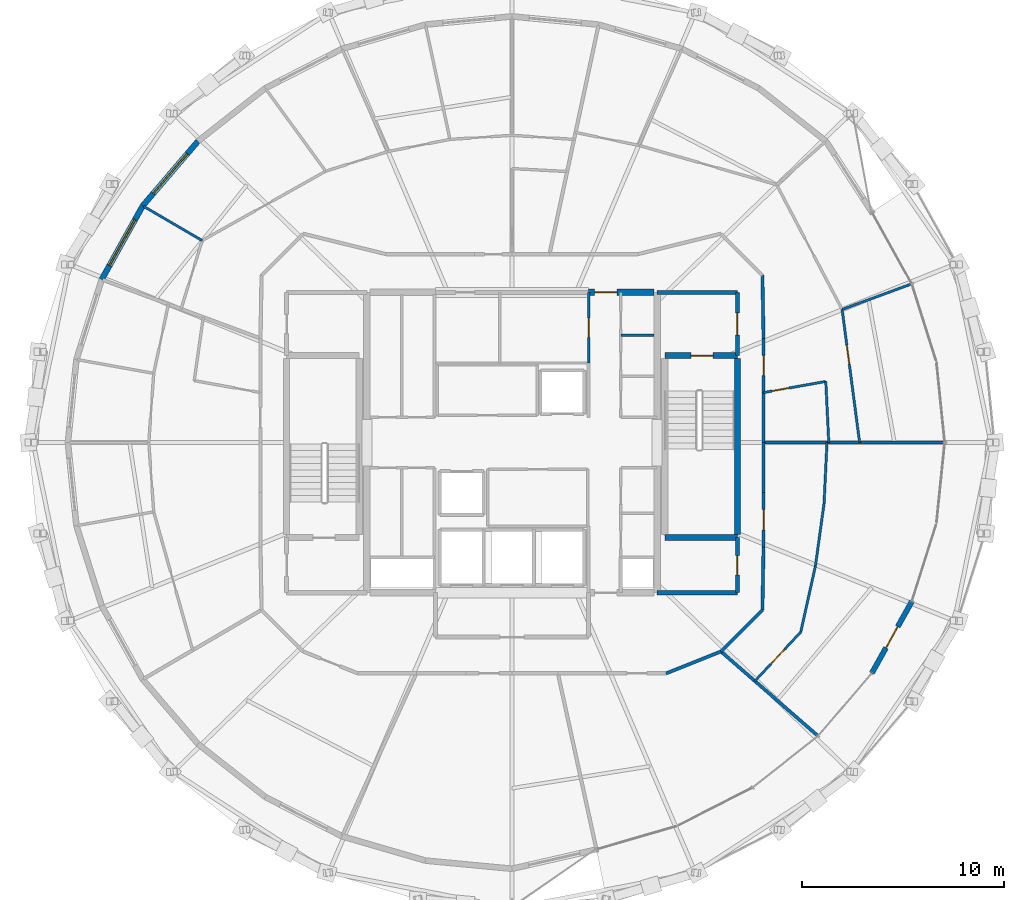
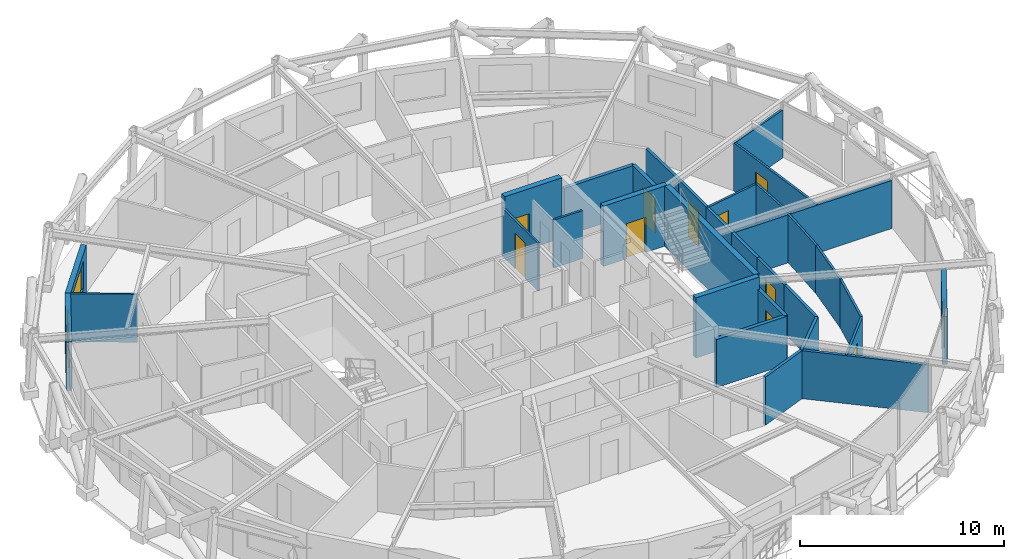
# One storey, part 14 of 17: 32 walls, 11 doors, 2 windows, 13 openings.
"""IFC4 building model written with IfcOpenShell, lengths in metres."""

from ifc_helpers import new_model, si_unit, direction, frame, frame_2d, origin, place, context, subcontext, project, spatial, rectangle, extrude, material, layer, layer_set, type_object, element, fill, save


model = new_model("IFC4")

# Units and contexts
model_context = context("Model", 3, precision=1e-05, world=origin(), true_north=direction((0.0, 1.0)))
body_context = subcontext(model_context, "Body", "Model", "MODEL_VIEW")
ifc_project = project(units=[si_unit("LENGTHUNIT", "METRE"), si_unit("AREAUNIT", "SQUARE_METRE"), si_unit("VOLUMEUNIT", "CUBIC_METRE"), si_unit("PLANEANGLEUNIT", "RADIAN"), si_unit("MASSUNIT", "GRAM", prefix="KILO")], contexts=[model_context])

# Site, building, storey
site_placement = place(None, origin())
site = spatial("IfcSite", under=ifc_project, at=site_placement, CompositionType="ELEMENT")
building_placement = place(site_placement, origin())
building = spatial("IfcBuilding", under=site, at=building_placement, Name="Veldorina Hangang Commons", CompositionType="ELEMENT")
storey_placement = place(building_placement, frame((0.0, 0.0, 236.39990234375)))
storey = spatial("IfcBuildingStorey", under=building, at=storey_placement, Name="L61", CompositionType="ELEMENT", Elevation=236.39990234375)

# Wall, opening, door
ifc_material_1 = material(Name="Concrete C50/60", Category="concrete")
ifc_layer_1 = layer(ifc_material_1, 0.320068359375)
ifc_layer_set_1 = layer_set([ifc_layer_1], Name="Concrete C50/60")
wall_type_1 = type_object("IfcWallType", Name="CW-RC320-C50", PredefinedType="SHEAR", material=ifc_layer_set_1)
wall_1_placement = place(storey_placement, frame((35.800048828125, 31.449951171875, 0.0), z_axis=(0.0, 0.0, 1.0), x_axis=(1.0, 0.0, 0.0)))
wall_1 = element("IfcWall", 1, at=wall_1_placement, inside=storey, type_object=wall_type_1, Name="L61 north-east core shear wall", PredefinedType="SHEAR", context=body_context, shape_type="SweptSolid", body=[
    extrude(rectangle(XDim=3.239990234375, YDim=0.320068359375, at=frame_2d((1.6201171875, 0.0))), origin(), (0.0, 0.0, 1.0), 3.60009765625),
])
opening_1_placement = place(wall_1_placement, frame((0.300048828125, 0.0, 0.0)))
opening_1 = element("IfcOpeningElement", 2, at=opening_1_placement, cuts=wall_1, Name="Opening D-08", PredefinedType="OPENING", context=body_context, shape_type="SweptSolid", body=[
    extrude(rectangle(XDim=1.10009765625, YDim=2.10009765625, at=frame_2d((0.550048828125, 1.050048828125))), frame((0.0, 0.169921875, 0.0), z_axis=(0.0, -1.0, 0.0), x_axis=(1.0, 0.0, 0.0)), (0.0, 0.0, 1.0), 0.340087890625),
])
ifc_material_2 = material(Name="Steel Fire-Rated Smoke Seal", Category="steel")
door_type_1 = type_object("IfcDoorType", Name="DR-FIRE-1100", OperationType="SINGLE_SWING_RIGHT", PredefinedType="DOOR", material=ifc_material_2)
door_1_placement = place(opening_1_placement, origin())
door_1 = element("IfcDoor", 3, at=door_1_placement, inside=storey, type_object=door_type_1, Name="L61 central lift lobby north corridor door", OperationType="SINGLE_SWING_LEFT", OverallHeight=2.10009765625, OverallWidth=1.10009765625, PredefinedType="DOOR", context=body_context, shape_type="SweptSolid", body=[
    extrude(rectangle(XDim=1.10009765625, YDim=2.10009765625, at=frame_2d((0.550048828125, 1.050048828125))), frame((0.0, 0.02490234375, 0.0), z_axis=(0.0, -1.0, 0.0), x_axis=(1.0, 0.0, 0.0)), (0.0, 0.0, 1.0), 0.050048828125),
])
fill(opening_1, door_1)

ifc_material_3 = material(Name="Stone Roman Travertine", Category="masonry")
ifc_layer_2 = layer(ifc_material_3, 0.260009765625)
ifc_layer_set_2 = layer_set([ifc_layer_2], Name="Stone Roman Travertine")
wall_type_2 = type_object("IfcWallType", Name="EW-LOGGIA-260", PredefinedType="STANDARD", material=ifc_layer_set_2)
wall_2_placement = place(storey_placement, frame((49.85693359375, 12.56298828125, 0.0), z_axis=(0.0, 0.0, 1.0), x_axis=(0.487020857791, 0.873390338896, 0.0)))
wall_2 = element("IfcWall", 4, at=wall_2_placement, inside=storey, type_object=wall_type_2, Name="L61 sky-garden loggia portal wall 29", PredefinedType="STANDARD", context=body_context, shape_type="SweptSolid", body=[
    extrude(rectangle(XDim=4.074951171875, YDim=0.260009765625, at=frame_2d((2.03759765625, 0.0))), origin(), (0.0, 0.0, 1.0), 2.880126953125),
])
opening_2_placement = place(wall_2_placement, frame((1.4375, 0.0, 0.0)))
opening_2 = element("IfcOpeningElement", 5, at=opening_2_placement, cuts=wall_2, Name="Opening BD-1200", PredefinedType="OPENING", context=body_context, shape_type="SweptSolid", body=[
    extrude(rectangle(XDim=1.199951171875, YDim=2.14990234375, at=frame_2d((0.60009765625, 1.074951171875))), frame((0.0, 0.14013671875, 0.0), z_axis=(0.0, -1.0, 0.0), x_axis=(1.0, 0.0, 0.0)), (0.0, 0.0, 1.0), 0.280029296875),
])
ifc_material_4 = material(Name="Glass Thermal Aluminium Frame", Category="aluminium")
door_type_2 = type_object("IfcDoorType", Name="DR-EXT-LOG1200", OperationType="SINGLE_SWING_LEFT", PredefinedType="DOOR", material=ifc_material_4)
door_2_placement = place(opening_2_placement, origin())
door_2 = element("IfcDoor", 6, at=door_2_placement, inside=storey, type_object=door_type_2, Name="L61 loggia glazed exterior door 29", OperationType="SINGLE_SWING_RIGHT", OverallHeight=2.14990234375, OverallWidth=1.199951171875, PredefinedType="DOOR", context=body_context, shape_type="SweptSolid", body=[
    extrude(rectangle(XDim=1.199951171875, YDim=2.14990234375, at=frame_2d((0.60009765625, 1.074951171875))), frame((0.0, 0.02490234375, 0.0), z_axis=(0.0, -1.0, 0.0), x_axis=(1.0, 0.0, 0.0)), (0.0, 0.0, 1.0), 0.050048828125),
])
fill(opening_2, door_2)

# Wall, opening, window
ifc_layer_3 = layer(ifc_material_3, 0.280029296875)
ifc_layer_set_3 = layer_set([ifc_layer_3], Name="Stone Roman Travertine")
wall_type_3 = type_object("IfcWallType", Name="EW-TRAV-280", PredefinedType="STANDARD", material=ifc_layer_set_3)
wall_3_placement = place(storey_placement, frame((16.41796875, 38.95263671875, 0.0), z_axis=(0.0, 0.0, 1.0), x_axis=(-0.64992790189, -0.759995869952, 0.0)))
wall_3 = element("IfcWall", 7, at=wall_3_placement, inside=storey, type_object=wall_type_3, Name="L61 travertine facade wall 12", PredefinedType="STANDARD", context=body_context, shape_type="SweptSolid", body=[
    extrude(rectangle(XDim=4.216552734375, YDim=0.280029296875, at=frame_2d((2.1083984375, 0.0))), origin(), (0.0, 0.0, 1.0), 2.880126953125),
])
opening_3_placement = place(wall_3_placement, frame((0.808349609375, 0.0, 0.800048828125)))
opening_3 = element("IfcOpeningElement", 8, at=opening_3_placement, cuts=wall_3, Name="Opening W-02", PredefinedType="OPENING", context=body_context, shape_type="SweptSolid", body=[
    extrude(rectangle(XDim=2.60009765625, YDim=1.64990234375, at=frame_2d((1.300048828125, 0.824951171875))), frame((0.0, 0.14990234375, 0.0), z_axis=(0.0, -1.0, 0.0), x_axis=(1.0, 0.0, 0.0)), (0.0, 0.0, 1.0), 0.300048828125),
])
ifc_material_5 = material(Name="Glass Low-E Triple IGU", Category="glass")
window_type = type_object("IfcWindowType", Name="WIN-TWR-2600", PartitioningType="SINGLE_PANEL", PredefinedType="WINDOW", material=ifc_material_5)
window_1_placement = place(opening_3_placement, origin())
window_1 = element("IfcWindow", 9, at=window_1_placement, inside=storey, type_object=window_type, Name="L61 facade window 12", OverallHeight=1.64990234375, OverallWidth=2.60009765625, PartitioningType="SINGLE_PANEL", PredefinedType="WINDOW", context=body_context, shape_type="SweptSolid", body=[
    extrude(rectangle(XDim=2.60009765625, YDim=1.64990234375, at=frame_2d((1.300048828125, 0.824951171875))), frame((0.0, 0.030029296875, 0.0), z_axis=(0.0, -1.0, 0.0), x_axis=(1.0, 0.0, 0.0)), (0.0, 0.0, 1.0), 0.06005859375),
])
fill(opening_3, window_1)

wall_4_placement = place(storey_placement, frame((13.677490234375, 35.748046875, 0.0), z_axis=(0.0, 0.0, 1.0), x_axis=(-0.486628377496, -0.873609078602, 0.0)))
wall_4 = element("IfcWall", 10, at=wall_4_placement, inside=storey, type_object=wall_type_3, Name="L61 travertine facade wall 13", PredefinedType="STANDARD", context=body_context, shape_type="SweptSolid", body=[
    extrude(rectangle(XDim=4.1845703125, YDim=0.280029296875, at=frame_2d((2.09228515625, 0.0))), origin(), (0.0, 0.0, 1.0), 2.880126953125),
])
opening_4_placement = place(wall_4_placement, frame((0.79248046875, 0.0, 0.800048828125)))
opening_4 = element("IfcOpeningElement", 11, at=opening_4_placement, cuts=wall_4, Name="Opening W-02", PredefinedType="OPENING", context=body_context, shape_type="SweptSolid", body=[
    extrude(rectangle(XDim=2.60009765625, YDim=1.64990234375, at=frame_2d((1.300048828125, 0.824951171875))), frame((0.0, 0.14990234375, 0.0), z_axis=(0.0, -1.0, 0.0), x_axis=(1.0, 0.0, 0.0)), (0.0, 0.0, 1.0), 0.300048828125),
])
window_2_placement = place(opening_4_placement, origin())
window_2 = element("IfcWindow", 12, at=window_2_placement, inside=storey, type_object=window_type, Name="L61 facade window 13", OverallHeight=1.64990234375, OverallWidth=2.60009765625, PartitioningType="SINGLE_PANEL", PredefinedType="WINDOW", context=body_context, shape_type="SweptSolid", body=[
    extrude(rectangle(XDim=2.60009765625, YDim=1.64990234375, at=frame_2d((1.300048828125, 0.824951171875))), frame((0.0, 0.030029296875, 0.0), z_axis=(0.0, -1.0, 0.0), x_axis=(1.0, 0.0, 0.0)), (0.0, 0.0, 1.0), 0.06005859375),
])
fill(opening_4, window_2)

# Walls
ifc_layer_4 = layer(ifc_material_1, 0.300048828125)
ifc_layer_set_4 = layer_set([ifc_layer_4], Name="Concrete C50/60")
wall_type_4 = type_object("IfcWallType", Name="SW-STAIR-300", PredefinedType="SHEAR", material=ifc_layer_set_4)
wall_5_placement = place(storey_placement, frame((43.179931640625, 19.429931640625, 0.0), z_axis=(0.0, 0.0, 1.0), x_axis=(0.0, 1.0, 0.0)))
element("IfcWall", 13, at=wall_5_placement, inside=storey, type_object=wall_type_4, Name="L61 ST2 outer stair shear wall", PredefinedType="SHEAR", context=body_context, shape_type="SweptSolid", body=[
    extrude(rectangle(XDim=8.739990234375, YDim=0.300048828125, at=frame_2d((4.3701171875, 0.0))), origin(), (0.0, 0.0, 1.0), 3.60009765625),
])
wall_6_placement = place(storey_placement, frame((39.580078125, 19.280029296875, 0.0), z_axis=(0.0, 0.0, 1.0), x_axis=(1.0, 0.0, 0.0)))
element("IfcWall", 14, at=wall_6_placement, inside=storey, type_object=wall_type_4, Name="L61 ST2 south stair shear wall", PredefinedType="SHEAR", context=body_context, shape_type="SweptSolid", body=[
    extrude(rectangle(XDim=3.599853515625, YDim=0.300048828125, at=frame_2d((1.7998046875, 0.0))), origin(), (0.0, 0.0, 1.0), 3.60009765625),
])

# Wall, opening, door
wall_7_placement = place(storey_placement, frame((39.580078125, 28.320068359375, 0.0), z_axis=(0.0, 0.0, 1.0), x_axis=(1.0, 0.0, 0.0)))
wall_7 = element("IfcWall", 15, at=wall_7_placement, inside=storey, type_object=wall_type_4, Name="L61 ST2 north stair shear wall", PredefinedType="SHEAR", context=body_context, shape_type="SweptSolid", body=[
    extrude(rectangle(XDim=3.599853515625, YDim=0.300048828125, at=frame_2d((1.7998046875, 0.0))), origin(), (0.0, 0.0, 1.0), 3.60009765625),
])
opening_5_placement = place(wall_7_placement, frame((1.300048828125, 0.0, 0.0)))
opening_5 = element("IfcOpeningElement", 16, at=opening_5_placement, cuts=wall_7, Name="Opening D-08", PredefinedType="OPENING", context=body_context, shape_type="SweptSolid", body=[
    extrude(rectangle(XDim=1.10009765625, YDim=2.10009765625, at=frame_2d((0.550048828125, 1.050048828125))), frame((0.0, 0.16015625, 0.0), z_axis=(0.0, -1.0, 0.0), x_axis=(1.0, 0.0, 0.0)), (0.0, 0.0, 1.0), 0.320068359375),
])
door_3_placement = place(opening_5_placement, origin())
door_3 = element("IfcDoor", 17, at=door_3_placement, inside=storey, type_object=door_type_1, Name="L61 Special Escape Stair ST-2 door", OperationType="SINGLE_SWING_RIGHT", OverallHeight=2.10009765625, OverallWidth=1.10009765625, PredefinedType="DOOR", context=body_context, shape_type="SweptSolid", body=[
    extrude(rectangle(XDim=1.10009765625, YDim=2.10009765625, at=frame_2d((0.550048828125, 1.050048828125))), frame((0.0, 0.02490234375, 0.0), z_axis=(0.0, -1.0, 0.0), x_axis=(1.0, 0.0, 0.0)), (0.0, 0.0, 1.0), 0.050048828125),
])
fill(opening_5, door_3)

# Wall
ifc_material_6 = material(Name="Gypsum Fire-Rated Twin Stud Wall", Category="gypsum")
ifc_layer_5 = layer(ifc_material_6, 0.159912109375)
ifc_layer_set_5 = layer_set([ifc_layer_5], Name="Gypsum Fire-Rated Twin Stud Wall")
wall_type_5 = type_object("IfcWallType", Name="WL-FIRE-160", PredefinedType="SOLIDWALL", material=ifc_layer_set_5)
wall_8_placement = place(storey_placement, frame((44.47998046875, 24.0, 0.0), z_axis=(0.0, 0.0, 1.0), x_axis=(0.0, 1.0, 0.0)))
element("IfcWall", 18, at=wall_8_placement, inside=storey, type_object=wall_type_5, Name="L61 Compact collar outer wall 00 056", PredefinedType="SOLIDWALL", context=body_context, shape_type="SweptSolid", body=[
    extrude(rectangle(XDim=2.482421875, YDim=0.159912109375, at=frame_2d((1.2412109375, 0.0))), origin(), (0.0, 0.0, 1.0), 2.8701171875),
])

# Wall, opening, door
wall_9_placement = place(storey_placement, frame((44.47998046875, 26.482421875, 0.0), z_axis=(0.0, 0.0, 1.0), x_axis=(0.0, 1.0, 0.0)))
wall_9 = element("IfcWall", 19, at=wall_9_placement, inside=storey, type_object=wall_type_5, Name="L61 Compact collar outer wall 01 057", PredefinedType="SOLIDWALL", context=body_context, shape_type="SweptSolid", body=[
    extrude(rectangle(XDim=2.68701171875, YDim=0.159912109375, at=frame_2d((1.343505859375, 0.0))), origin(), (0.0, 0.0, 1.0), 2.8701171875),
])
opening_6_placement = place(wall_9_placement, frame((0.843505859375, 0.0, 0.0)))
opening_6 = element("IfcOpeningElement", 20, at=opening_6_placement, cuts=wall_9, Name="Opening D-06", PredefinedType="OPENING", context=body_context, shape_type="SweptSolid", body=[
    extrude(rectangle(XDim=1.0, YDim=2.10009765625, at=frame_2d((0.5, 1.050048828125))), frame((0.0, 0.08984375, 0.0), z_axis=(0.0, -1.0, 0.0), x_axis=(1.0, 0.0, 0.0)), (0.0, 0.0, 1.0), 0.179931640625),
])
ifc_material_7 = material(Name="Timber Fire-Rated Entrance Core", Category="wood")
door_type_3 = type_object("IfcDoorType", Name="DR-UNIT-1000", OperationType="SINGLE_SWING_LEFT", PredefinedType="DOOR", material=ifc_material_7)
door_4_placement = place(opening_6_placement, origin())
door_4 = element("IfcDoor", 21, at=door_4_placement, inside=storey, type_object=door_type_3, Name="L61 Cluster 2 entrance door 027", OperationType="SINGLE_SWING_LEFT", OverallHeight=2.10009765625, OverallWidth=1.0, PredefinedType="DOOR", context=body_context, shape_type="SweptSolid", body=[
    extrude(rectangle(XDim=1.0, YDim=2.10009765625, at=frame_2d((0.5, 1.050048828125))), frame((0.0, 0.02490234375, 0.0), z_axis=(0.0, -1.0, 0.0), x_axis=(1.0, 0.0, 0.0)), (0.0, 0.0, 1.0), 0.050048828125),
])
fill(opening_6, door_4)

# Walls
wall_10_placement = place(storey_placement, frame((44.47998046875, 29.16943359375, 0.0), z_axis=(0.0, 0.0, 1.0), x_axis=(-0.016981035134, 0.999855811828, 0.0)))
element("IfcWall", 22, at=wall_10_placement, inside=storey, type_object=wall_type_5, Name="L61 Compact collar outer wall 02 058", PredefinedType="SOLIDWALL", context=body_context, shape_type="SweptSolid", body=[
    extrude(rectangle(XDim=3.13427734375, YDim=0.159912109375, at=frame_2d((1.567138671875, 0.0))), origin(), (0.0, 0.0, 1.0), 2.8701171875),
])
wall_11_placement = place(storey_placement, frame((39.650634765625, 12.550048828125, 0.0), z_axis=(0.0, 0.0, 1.0), x_axis=(0.92856882165, 0.371160266542, 0.0)))
element("IfcWall", 23, at=wall_11_placement, inside=storey, type_object=wall_type_5, Name="L61 Compact collar outer wall 27 083", PredefinedType="SOLIDWALL", context=body_context, shape_type="SweptSolid", body=[
    extrude(rectangle(XDim=2.923095703125, YDim=0.159912109375, at=frame_2d((1.46142578125, 0.0))), origin(), (0.0, 0.0, 1.0), 2.8701171875),
])
wall_12_placement = place(storey_placement, frame((42.364990234375, 13.635009765625, 0.0), z_axis=(0.0, 0.0, 1.0), x_axis=(0.707106781187, 0.707106781187, 0.0)))
element("IfcWall", 24, at=wall_12_placement, inside=storey, type_object=wall_type_5, Name="L61 Compact collar outer wall 28 084", PredefinedType="SOLIDWALL", context=body_context, shape_type="SweptSolid", body=[
    extrude(rectangle(XDim=2.915771484375, YDim=0.159912109375, at=frame_2d((1.4580078125, 0.0))), origin(), (0.0, 0.0, 1.0), 2.8701171875),
])
wall_13_placement = place(storey_placement, frame((44.4267578125, 15.69677734375, 0.0), z_axis=(0.0, 0.0, 1.0), x_axis=(0.016981035134, 0.999855811828, 0.0)))
element("IfcWall", 25, at=wall_13_placement, inside=storey, type_object=wall_type_5, Name="L61 Compact collar outer wall 29 085", PredefinedType="SOLIDWALL", context=body_context, shape_type="SweptSolid", body=[
    extrude(rectangle(XDim=3.13427734375, YDim=0.159912109375, at=frame_2d((1.567138671875, 0.0))), origin(), (0.0, 0.0, 1.0), 2.8701171875),
])

# Wall, opening, door
wall_14_placement = place(storey_placement, frame((44.47998046875, 18.83056640625, 0.0), z_axis=(0.0, 0.0, 1.0), x_axis=(0.0, 1.0, 0.0)))
wall_14 = element("IfcWall", 26, at=wall_14_placement, inside=storey, type_object=wall_type_5, Name="L61 Compact collar outer wall 30 086", PredefinedType="SOLIDWALL", context=body_context, shape_type="SweptSolid", body=[
    extrude(rectangle(XDim=2.68701171875, YDim=0.159912109375, at=frame_2d((1.343505859375, 0.0))), origin(), (0.0, 0.0, 1.0), 2.8701171875),
])
opening_7_placement = place(wall_14_placement, frame((0.843505859375, 0.0, 0.0)))
opening_7 = element("IfcOpeningElement", 27, at=opening_7_placement, cuts=wall_14, Name="Opening D-05", PredefinedType="OPENING", context=body_context, shape_type="SweptSolid", body=[
    extrude(rectangle(XDim=1.0, YDim=2.10009765625, at=frame_2d((0.5, 1.050048828125))), frame((0.0, 0.08984375, 0.0), z_axis=(0.0, -1.0, 0.0), x_axis=(1.0, 0.0, 0.0)), (0.0, 0.0, 1.0), 0.179931640625),
])
ifc_material_8 = material(Name="Timber Solid Core Acoustic", Category="wood")
door_type_4 = type_object("IfcDoorType", Name="DR-INT-1000", OperationType="SINGLE_SWING_RIGHT", PredefinedType="DOOR", material=ifc_material_8)
door_5_placement = place(opening_7_placement, origin())
door_5 = element("IfcDoor", 28, at=door_5_placement, inside=storey, type_object=door_type_4, Name="L61 Commons alcove door 024", OperationType="SINGLE_SWING_RIGHT", OverallHeight=2.10009765625, OverallWidth=1.0, PredefinedType="DOOR", context=body_context, shape_type="SweptSolid", body=[
    extrude(rectangle(XDim=1.0, YDim=2.10009765625, at=frame_2d((0.5, 1.050048828125))), frame((0.0, 0.02490234375, 0.0), z_axis=(0.0, -1.0, 0.0), x_axis=(1.0, 0.0, 0.0)), (0.0, 0.0, 1.0), 0.050048828125),
])
fill(opening_7, door_5)

# Walls
wall_15_placement = place(storey_placement, frame((44.47998046875, 21.517578125, 0.0), z_axis=(0.0, 0.0, 1.0), x_axis=(0.0, 1.0, 0.0)))
element("IfcWall", 29, at=wall_15_placement, inside=storey, type_object=wall_type_5, Name="L61 Compact collar outer wall 31 087", PredefinedType="SOLIDWALL", context=body_context, shape_type="SweptSolid", body=[
    extrude(rectangle(XDim=2.482421875, YDim=0.159912109375, at=frame_2d((1.2412109375, 0.0))), origin(), (0.0, 0.0, 1.0), 2.8701171875),
])
wall_16_placement = place(storey_placement, frame((42.364990234375, 13.635009765625, 0.0), z_axis=(0.0, 0.0, 1.0), x_axis=(0.75465361638, -0.656123402482, 0.0)))
element("IfcWall", 30, at=wall_16_placement, inside=storey, type_object=wall_type_5, Name="L61 Unit party wall 28 088", PredefinedType="SOLIDWALL", context=body_context, shape_type="SweptSolid", body=[
    extrude(rectangle(XDim=6.33837890625, YDim=0.159912109375, at=frame_2d((3.169189453125, 0.0))), origin(), (0.0, 0.0, 1.0), 2.8701171875),
])
wall_17_placement = place(storey_placement, frame((44.47998046875, 24.0, 0.0), z_axis=(0.0, 0.0, 1.0), x_axis=(1.0, 0.0, 0.0)))
element("IfcWall", 31, at=wall_17_placement, inside=storey, type_object=wall_type_5, Name="L61 Unit party wall 00 093", PredefinedType="SOLIDWALL", context=body_context, shape_type="SweptSolid", body=[
    extrude(rectangle(XDim=8.9462890625, YDim=0.159912109375, at=frame_2d((4.47314453125, 0.0))), origin(), (0.0, 0.0, 1.0), 2.8701171875),
])

# Wall, opening, door
ifc_material_9 = material(Name="Concrete Blockwork Fire Wall C30/37", Category="masonry")
ifc_layer_6 = layer(ifc_material_9, 0.199951171875)
ifc_layer_set_6 = layer_set([ifc_layer_6], Name="Concrete Blockwork Fire Wall C30/37")
wall_type_6 = type_object("IfcWallType", Name="WL-FIRE-200", PredefinedType="SOLIDWALL", material=ifc_layer_set_6)
wall_18_placement = place(storey_placement, frame((43.179931640625, 28.320068359375, 0.0), z_axis=(0.0, 0.0, 1.0), x_axis=(0.0, 1.0, 0.0)))
wall_18 = element("IfcWall", 32, at=wall_18_placement, inside=storey, type_object=wall_type_6, Name="L61 East vestibule outer wall 003", PredefinedType="SOLIDWALL", context=body_context, shape_type="SweptSolid", body=[
    extrude(rectangle(XDim=3.1298828125, YDim=0.199951171875, at=frame_2d((1.56494140625, 0.0))), origin(), (0.0, 0.0, 1.0), 2.8701171875),
])
opening_8_placement = place(wall_18_placement, frame((1.014892578125, 0.0, 0.0)))
opening_8 = element("IfcOpeningElement", 33, at=opening_8_placement, cuts=wall_18, Name="Opening D-08", PredefinedType="OPENING", context=body_context, shape_type="SweptSolid", body=[
    extrude(rectangle(XDim=1.10009765625, YDim=2.10009765625, at=frame_2d((0.550048828125, 1.050048828125))), frame((0.0, 0.10986328125, 0.0), z_axis=(0.0, -1.0, 0.0), x_axis=(1.0, 0.0, 0.0)), (0.0, 0.0, 1.0), 0.219970703125),
])
door_6_placement = place(opening_8_placement, origin())
door_6 = element("IfcDoor", 34, at=door_6_placement, inside=storey, type_object=door_type_1, Name="L61 East vestibule east door 002", OperationType="SINGLE_SWING_RIGHT", OverallHeight=2.10009765625, OverallWidth=1.10009765625, PredefinedType="DOOR", context=body_context, shape_type="SweptSolid", body=[
    extrude(rectangle(XDim=1.10009765625, YDim=2.10009765625, at=frame_2d((0.550048828125, 1.050048828125))), frame((0.0, 0.02490234375, 0.0), z_axis=(0.0, -1.0, 0.0), x_axis=(1.0, 0.0, 0.0)), (0.0, 0.0, 1.0), 0.050048828125),
])
fill(opening_8, door_6)

# Wall
wall_19_placement = place(storey_placement, frame((39.199951171875, 31.449951171875, 0.0), z_axis=(0.0, 0.0, 1.0), x_axis=(1.0, 0.0, 0.0)))
element("IfcWall", 35, at=wall_19_placement, inside=storey, type_object=wall_type_6, Name="L61 East vestibule north wall 004", PredefinedType="SOLIDWALL", context=body_context, shape_type="SweptSolid", body=[
    extrude(rectangle(XDim=3.97998046875, YDim=0.199951171875, at=frame_2d((1.989990234375, 0.0))), origin(), (0.0, 0.0, 1.0), 2.8701171875),
])

# Wall, opening, door
wall_20_placement = place(storey_placement, frame((43.179931640625, 16.550048828125, 0.0), z_axis=(0.0, 0.0, 1.0), x_axis=(0.0, 1.0, 0.0)))
wall_20 = element("IfcWall", 36, at=wall_20_placement, inside=storey, type_object=wall_type_6, Name="L61 SE core room outer wall 007", PredefinedType="SOLIDWALL", context=body_context, shape_type="SweptSolid", body=[
    extrude(rectangle(XDim=2.72998046875, YDim=0.199951171875, at=frame_2d((1.364990234375, 0.0))), origin(), (0.0, 0.0, 1.0), 2.8701171875),
])
opening_9_placement = place(wall_20_placement, frame((0.889892578125, 0.0, 0.0)))
opening_9 = element("IfcOpeningElement", 37, at=opening_9_placement, cuts=wall_20, Name="Opening D-02", PredefinedType="OPENING", context=body_context, shape_type="SweptSolid", body=[
    extrude(rectangle(XDim=0.949951171875, YDim=2.10009765625, at=frame_2d((0.47509765625, 1.050048828125))), frame((0.0, 0.10986328125, 0.0), z_axis=(0.0, -1.0, 0.0), x_axis=(1.0, 0.0, 0.0)), (0.0, 0.0, 1.0), 0.219970703125),
])
door_type_5 = type_object("IfcDoorType", Name="DR-INT-950", OperationType="SINGLE_SWING_LEFT", PredefinedType="DOOR", material=ifc_material_8)
door_7_placement = place(opening_9_placement, origin())
door_7 = element("IfcDoor", 38, at=door_7_placement, inside=storey, type_object=door_type_5, Name="L61 SE core WC door 004", OperationType="SINGLE_SWING_RIGHT", OverallHeight=2.10009765625, OverallWidth=0.949951171875, PredefinedType="DOOR", context=body_context, shape_type="SweptSolid", body=[
    extrude(rectangle(XDim=0.949951171875, YDim=2.10009765625, at=frame_2d((0.47509765625, 1.050048828125))), frame((0.0, 0.02490234375, 0.0), z_axis=(0.0, -1.0, 0.0), x_axis=(1.0, 0.0, 0.0)), (0.0, 0.0, 1.0), 0.050048828125),
])
fill(opening_9, door_7)

# Wall
wall_21_placement = place(storey_placement, frame((39.199951171875, 16.550048828125, 0.0), z_axis=(0.0, 0.0, 1.0), x_axis=(1.0, 0.0, 0.0)))
element("IfcWall", 39, at=wall_21_placement, inside=storey, type_object=wall_type_6, Name="L61 SE core room south wall 008", PredefinedType="SOLIDWALL", context=body_context, shape_type="SweptSolid", body=[
    extrude(rectangle(XDim=3.97998046875, YDim=0.199951171875, at=frame_2d((1.989990234375, 0.0))), origin(), (0.0, 0.0, 1.0), 2.8701171875),
])

# Wall, opening, door
ifc_material_10 = material(Name="Gypsum Acoustic Stud Partition", Category="gypsum")
ifc_layer_7 = layer(ifc_material_10, 0.1201171875)
ifc_layer_set_7 = layer_set([ifc_layer_7], Name="Gypsum Acoustic Stud Partition")
wall_type_7 = type_object("IfcWallType", Name="WL-PART-120", PredefinedType="PARTITIONING", material=ifc_layer_set_7)
wall_22_placement = place(storey_placement, frame((35.800048828125, 27.949951171875, 0.0), z_axis=(0.0, 0.0, 1.0), x_axis=(0.0, 1.0, 0.0)))
wall_22 = element("IfcWall", 40, at=wall_22_placement, inside=storey, type_object=wall_type_7, Name="L61 Merged north east wall 031", PredefinedType="PARTITIONING", context=body_context, shape_type="SweptSolid", body=[
    extrude(rectangle(XDim=3.5, YDim=0.1201171875, at=frame_2d((1.75, 0.0))), origin(), (0.0, 0.0, 1.0), 2.8701171875),
])
opening_10_placement = place(wall_22_placement, frame((1.27490234375, 0.0, 0.0)))
opening_10 = element("IfcOpeningElement", 41, at=opening_10_placement, cuts=wall_22, Name="Opening D-02", PredefinedType="OPENING", context=body_context, shape_type="SweptSolid", body=[
    extrude(rectangle(XDim=0.949951171875, YDim=2.10009765625, at=frame_2d((0.47509765625, 1.050048828125))), frame((0.0, 0.070068359375, 0.0), z_axis=(0.0, -1.0, 0.0), x_axis=(1.0, 0.0, 0.0)), (0.0, 0.0, 1.0), 0.14013671875),
])
door_8_placement = place(opening_10_placement, origin())
door_8 = element("IfcDoor", 42, at=door_8_placement, inside=storey, type_object=door_type_5, Name="L61 Core linen store door 012", OperationType="SINGLE_SWING_RIGHT", OverallHeight=2.10009765625, OverallWidth=0.949951171875, PredefinedType="DOOR", context=body_context, shape_type="SweptSolid", body=[
    extrude(rectangle(XDim=0.949951171875, YDim=2.10009765625, at=frame_2d((0.47509765625, 1.050048828125))), frame((0.0, 0.02490234375, 0.0), z_axis=(0.0, -1.0, 0.0), x_axis=(1.0, 0.0, 0.0)), (0.0, 0.0, 1.0), 0.050048828125),
])
fill(opening_10, door_8)

# Wall
wall_23_placement = place(storey_placement, frame((37.39990234375, 29.330078125, 0.0), z_axis=(0.0, 0.0, 1.0), x_axis=(1.0, 0.0, 0.0)))
element("IfcWall", 43, at=wall_23_placement, inside=storey, type_object=wall_type_7, Name="L61 NE split 2 054", PredefinedType="PARTITIONING", context=body_context, shape_type="SweptSolid", body=[
    extrude(rectangle(XDim=1.650146484375, YDim=0.1201171875, at=frame_2d((0.8251953125, 0.0))), origin(), (0.0, 0.0, 1.0), 2.8701171875),
])

# Wall, opening, door
wall_24_placement = place(storey_placement, frame((44.052490234375, 12.16796875, 0.0), z_axis=(0.0, 0.0, 1.0), x_axis=(0.683143255068, 0.730284391901, 0.0)))
wall_24 = element("IfcWall", 44, at=wall_24_placement, inside=storey, type_object=wall_type_7, Name="L61 Lounge alcove split 0 089", PredefinedType="PARTITIONING", context=body_context, shape_type="SweptSolid", body=[
    extrude(rectangle(XDim=3.330078125, YDim=0.1201171875, at=frame_2d((1.6650390625, 0.0))), origin(), (0.0, 0.0, 1.0), 2.8701171875),
])
opening_11_placement = place(wall_24_placement, frame((1.1650390625, 0.0, 0.0)))
opening_11 = element("IfcOpeningElement", 45, at=opening_11_placement, cuts=wall_24, Name="Opening D-05", PredefinedType="OPENING", context=body_context, shape_type="SweptSolid", body=[
    extrude(rectangle(XDim=1.0, YDim=2.10009765625, at=frame_2d((0.5, 1.050048828125))), frame((0.0, 0.070068359375, 0.0), z_axis=(0.0, -1.0, 0.0), x_axis=(1.0, 0.0, 0.0)), (0.0, 0.0, 1.0), 0.14013671875),
])
door_9_placement = place(opening_11_placement, origin())
door_9 = element("IfcDoor", 46, at=door_9_placement, inside=storey, type_object=door_type_4, Name="L61 Commons lounge door 025", OperationType="SINGLE_SWING_LEFT", OverallHeight=2.10009765625, OverallWidth=1.0, PredefinedType="DOOR", context=body_context, shape_type="SweptSolid", body=[
    extrude(rectangle(XDim=1.0, YDim=2.10009765625, at=frame_2d((0.5, 1.050048828125))), frame((0.0, 0.02490234375, 0.0), z_axis=(0.0, -1.0, 0.0), x_axis=(1.0, 0.0, 0.0)), (0.0, 0.0, 1.0), 0.050048828125),
])
fill(opening_11, door_9)

# Walls
wall_25_placement = place(storey_placement, frame((46.327392578125, 14.599853515625, 0.0), z_axis=(0.0, 0.0, 1.0), x_axis=(0.216792083166, 0.976217799815, 0.0)))
element("IfcWall", 47, at=wall_25_placement, inside=storey, type_object=wall_type_7, Name="L61 Lounge alcove split 1 090", PredefinedType="PARTITIONING", context=body_context, shape_type="SweptSolid", body=[
    extrude(rectangle(XDim=3.36279296875, YDim=0.1201171875, at=frame_2d((1.681396484375, 0.0))), origin(), (0.0, 0.0, 1.0), 2.8701171875),
])
wall_26_placement = place(storey_placement, frame((47.056396484375, 17.882568359375, 0.0), z_axis=(0.0, 0.0, 1.0), x_axis=(0.136840789859, 0.990593053797, 0.0)))
element("IfcWall", 48, at=wall_26_placement, inside=storey, type_object=wall_type_7, Name="L61 Lounge alcove split 2 091", PredefinedType="PARTITIONING", context=body_context, shape_type="SweptSolid", body=[
    extrude(rectangle(XDim=3.127685546875, YDim=0.1201171875, at=frame_2d((1.56396484375, 0.0))), origin(), (0.0, 0.0, 1.0), 2.8701171875),
])
wall_27_placement = place(storey_placement, frame((47.484375, 20.980712890625, 0.0), z_axis=(0.0, 0.0, 1.0), x_axis=(0.047733994434, 0.998860083183, 0.0)))
element("IfcWall", 49, at=wall_27_placement, inside=storey, type_object=wall_type_7, Name="L61 Lounge alcove split 3 092", PredefinedType="PARTITIONING", context=body_context, shape_type="SweptSolid", body=[
    extrude(rectangle(XDim=3.022705078125, YDim=0.1201171875, at=frame_2d((1.51123046875, 0.0))), origin(), (0.0, 0.0, 1.0), 2.8701171875),
])
wall_28_placement = place(storey_placement, frame((47.71875, 24.0, 0.0), z_axis=(0.0, 0.0, 1.0), x_axis=(-0.048939597686, 0.998801739976, 0.0)))
element("IfcWall", 50, at=wall_28_placement, inside=storey, type_object=wall_type_7, Name="L61 Cluster 2 bath front wall 094", PredefinedType="PARTITIONING", context=body_context, shape_type="SweptSolid", body=[
    extrude(rectangle(XDim=3.0380859375, YDim=0.1201171875, at=frame_2d((1.51904296875, 0.0))), origin(), (0.0, 0.0, 1.0), 2.8701171875),
])

# Wall, opening, door
wall_29_placement = place(storey_placement, frame((44.47998046875, 26.482421875, 0.0), z_axis=(0.0, 0.0, 1.0), x_axis=(0.984416517577, 0.175852551651, 0.0)))
wall_29 = element("IfcWall", 51, at=wall_29_placement, inside=storey, type_object=wall_type_7, Name="L61 Cluster 2 bath side wall 095", PredefinedType="PARTITIONING", context=body_context, shape_type="SweptSolid", body=[
    extrude(rectangle(XDim=3.138916015625, YDim=0.1201171875, at=frame_2d((1.5693359375, 0.0))), origin(), (0.0, 0.0, 1.0), 2.8701171875),
])
opening_12_placement = place(wall_29_placement, frame((0.43994140625, 0.0, 0.0)))
opening_12 = element("IfcOpeningElement", 52, at=opening_12_placement, cuts=wall_29, Name="Opening D-01", PredefinedType="OPENING", context=body_context, shape_type="SweptSolid", body=[
    extrude(rectangle(XDim=0.860107421875, YDim=2.10009765625, at=frame_2d((0.43017578125, 1.050048828125))), frame((0.0, 0.070068359375, 0.0), z_axis=(0.0, -1.0, 0.0), x_axis=(1.0, 0.0, 0.0)), (0.0, 0.0, 1.0), 0.14013671875),
])
ifc_material_11 = material(Name="Timber Moisture-Resistant Core", Category="wood")
door_type_6 = type_object("IfcDoorType", Name="DR-WET-860", OperationType="SINGLE_SWING_LEFT", PredefinedType="DOOR", material=ifc_material_11)
door_10_placement = place(opening_12_placement, origin())
door_10 = element("IfcDoor", 53, at=door_10_placement, inside=storey, type_object=door_type_6, Name="L61 Cluster 2 shared bathroom door 026", OperationType="SINGLE_SWING_RIGHT", OverallHeight=2.10009765625, OverallWidth=0.860107421875, PredefinedType="DOOR", context=body_context, shape_type="SweptSolid", body=[
    extrude(rectangle(XDim=0.860107421875, YDim=2.10009765625, at=frame_2d((0.43017578125, 1.050048828125))), frame((0.0, 0.02490234375, 0.0), z_axis=(0.0, -1.0, 0.0), x_axis=(1.0, 0.0, 0.0)), (0.0, 0.0, 1.0), 0.050048828125),
])
fill(opening_12, door_10)

wall_30_placement = place(storey_placement, frame((49.248046875, 24.0, 0.0), z_axis=(0.0, 0.0, 1.0), x_axis=(-0.130067703559, 0.991505114707, 0.0)))
wall_30 = element("IfcWall", 54, at=wall_30_placement, inside=storey, type_object=wall_type_7, Name="L61 Cluster 2 bed 1 front wall 096", PredefinedType="PARTITIONING", context=body_context, shape_type="SweptSolid", body=[
    extrude(rectangle(XDim=6.66162109375, YDim=0.1201171875, at=frame_2d((3.330810546875, 0.0))), origin(), (0.0, 0.0, 1.0), 2.8701171875),
])
opening_13_placement = place(wall_30_placement, frame((3.918701171875, 0.0, 0.0)))
opening_13 = element("IfcOpeningElement", 55, at=opening_13_placement, cuts=wall_30, Name="Opening D-02", PredefinedType="OPENING", context=body_context, shape_type="SweptSolid", body=[
    extrude(rectangle(XDim=0.949951171875, YDim=2.10009765625, at=frame_2d((0.47509765625, 1.050048828125))), frame((0.0, 0.070068359375, 0.0), z_axis=(0.0, -1.0, 0.0), x_axis=(1.0, 0.0, 0.0)), (0.0, 0.0, 1.0), 0.14013671875),
])
door_11_placement = place(opening_13_placement, origin())
door_11 = element("IfcDoor", 56, at=door_11_placement, inside=storey, type_object=door_type_5, Name="L61 Cluster 2 bed 1 door 028", OperationType="SINGLE_SWING_RIGHT", OverallHeight=2.10009765625, OverallWidth=0.949951171875, PredefinedType="DOOR", context=body_context, shape_type="SweptSolid", body=[
    extrude(rectangle(XDim=0.949951171875, YDim=2.10009765625, at=frame_2d((0.47509765625, 1.050048828125))), frame((0.0, 0.02490234375, 0.0), z_axis=(0.0, -1.0, 0.0), x_axis=(1.0, 0.0, 0.0)), (0.0, 0.0, 1.0), 0.050048828125),
])
fill(opening_13, door_11)

# Walls
wall_31_placement = place(storey_placement, frame((48.381591796875, 30.60498046875, 0.0), z_axis=(0.0, 0.0, 1.0), x_axis=(0.938506911952, 0.345260446936, 0.0)))
element("IfcWall", 57, at=wall_31_placement, inside=storey, type_object=wall_type_7, Name="L61 Cluster 2 bed divider 1 098", PredefinedType="PARTITIONING", context=body_context, shape_type="SweptSolid", body=[
    extrude(rectangle(XDim=3.63671875, YDim=0.1201171875, at=frame_2d((1.818359375, 0.0))), origin(), (0.0, 0.0, 1.0), 2.8701171875),
])
wall_32_placement = place(storey_placement, frame((16.62548828125, 34.025634765625, 0.0), z_axis=(0.0, 0.0, 1.0), x_axis=(-0.863415459889, 0.504493551618, 0.0)))
element("IfcWall", 58, at=wall_32_placement, inside=storey, type_object=wall_type_7, Name="L61 Cluster 3 bed divider 5 116", PredefinedType="PARTITIONING", context=body_context, shape_type="SweptSolid", body=[
    extrude(rectangle(XDim=3.3642578125, YDim=0.1201171875, at=frame_2d((1.68212890625, 0.0))), origin(), (0.0, 0.0, 1.0), 2.8701171875),
])

save(model, "model.ifc")
